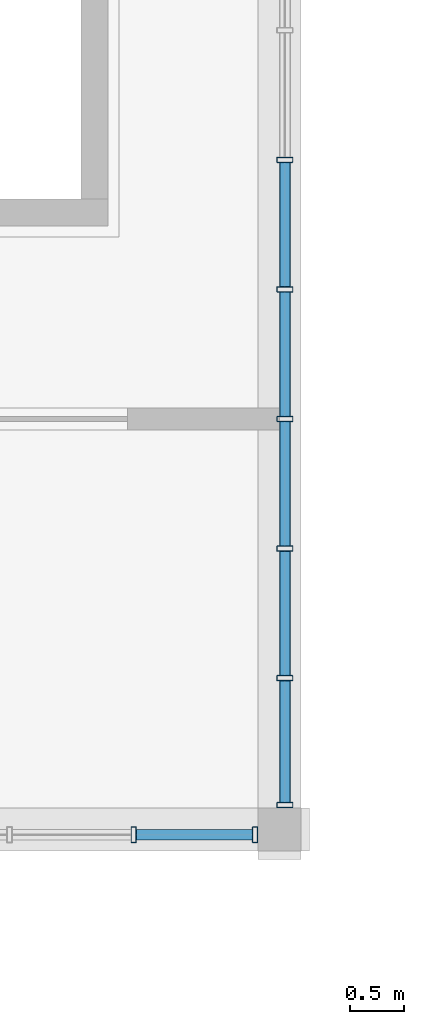
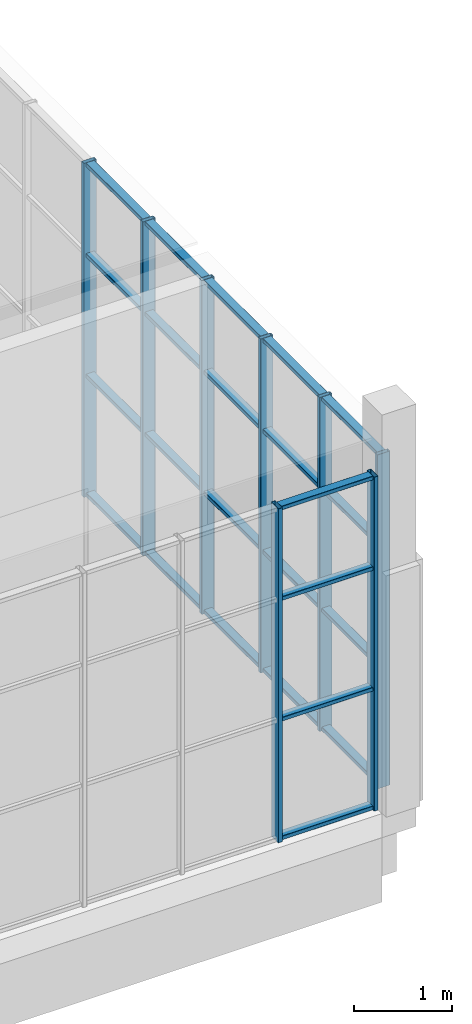
# One storey, part 36 of 125: 32 members, 2 elements without a shape of their own.
"""IFC4 building model written with IfcOpenShell, lengths in metres."""

from ifc_helpers import new_model, si_unit, direction, frame, origin, origin_2d, place, context, subcontext, project, spatial, hollow_rectangle, extrude, material, material_profile, profile_set, type_object, element, aggregate, save


model = new_model("IFC4")

# Units and contexts
model_context = context("Model", 3, precision=1e-05, world=origin(), true_north=direction((0.0, 1.0)))
body_context = subcontext(model_context, "Body", "Model", "MODEL_VIEW")
ifc_project = project(units=[si_unit("LENGTHUNIT", "METRE"), si_unit("AREAUNIT", "SQUARE_METRE"), si_unit("VOLUMEUNIT", "CUBIC_METRE"), si_unit("PLANEANGLEUNIT", "RADIAN"), si_unit("MASSUNIT", "GRAM", prefix="KILO")], contexts=[model_context])

# Site, building, storey
site_placement = place(None, origin())
site = spatial("IfcSite", under=ifc_project, at=site_placement, CompositionType="ELEMENT")
building_placement = place(site_placement, origin())
building = spatial("IfcBuilding", under=site, at=building_placement, Name="Sun Court Science Centre", CompositionType="ELEMENT")
storey_placement = place(building_placement, frame((0.0, 0.0, 6.0)))
storey = spatial("IfcBuildingStorey", under=building, at=storey_placement, Name="L01", CompositionType="ELEMENT", Elevation=6.0)

# Curtain wall, members
ifc_material_1 = material(Name="Aluminium EN AW-6063 T6", Category="aluminium")
curtain_wall_type = type_object("IfcCurtainWallType", Name="Pavilion curtain wall 1200", PredefinedType="NOTDEFINED", material=ifc_material_1)
curtain_wall_1_placement = place(storey_placement, origin())
curtain_wall_1 = element("IfcCurtainWall", 1, at=curtain_wall_1_placement, inside=storey, type_object=curtain_wall_type, Name="Curtain wall V5 S L01 01", PredefinedType="NOTDEFINED")
ifc_material_2 = material(Name="Aluminium EN AW-6063 T6", Category="aluminium")
ifc_material_profile_1 = material_profile(ifc_material_2, hollow_rectangle(XDim=0.050048828125, YDim=0.14990234375, WallThickness=0.00390625, InnerFilletRadius=0.00390625, OuterFilletRadius=0.006103515625, at=origin_2d()), Name="AL 50x150x4")
ifc_profile_set_1 = profile_set([ifc_material_profile_1], Name="Aluminium EN AW-6063 T6")
member_type_1 = type_object("IfcMemberType", Name="Curtain wall mullion AL 50x150", PredefinedType="MULLION", material=ifc_profile_set_1)
member_1_placement = place(storey_placement, frame((64.449951171875, 36.14990234375, 0.0), z_axis=(0.0, 0.0, 1.0), x_axis=(-1.0, 0.0, 0.0)))
member_1 = element("IfcMember", 2, at=member_1_placement, type_object=member_type_1, Name="CW3-05 mullion 2", PredefinedType="MULLION", context=body_context, shape_type="SweptSolid", body=[
    extrude(hollow_rectangle(XDim=0.050048828125, YDim=0.14990234375, WallThickness=0.00390625, InnerFilletRadius=0.00390625, OuterFilletRadius=0.006103515625, at=origin_2d()), origin(), (0.0, 0.0, 1.0), 4.14990234375),
])
member_2_placement = place(storey_placement, frame((65.574951171875, 36.14990234375, 0.0), z_axis=(0.0, 0.0, 1.0), x_axis=(-1.0, 0.0, 0.0)))
member_2 = element("IfcMember", 3, at=member_2_placement, type_object=member_type_1, Name="CW3-05 mullion 1", PredefinedType="MULLION", context=body_context, shape_type="SweptSolid", body=[
    extrude(hollow_rectangle(XDim=0.050048828125, YDim=0.14990234375, WallThickness=0.00390625, InnerFilletRadius=0.00390625, OuterFilletRadius=0.006103515625, at=origin_2d()), origin(), (0.0, 0.0, 1.0), 4.14990234375),
])

curtain_wall_2_placement = place(storey_placement, origin())
curtain_wall_2 = element("IfcCurtainWall", 4, at=curtain_wall_2_placement, inside=storey, type_object=curtain_wall_type, Name="Curtain wall V5 E L01 01", PredefinedType="NOTDEFINED")
member_3_placement = place(storey_placement, frame((65.85009765625, 36.425048828125, 0.0), z_axis=(0.0, 0.0, 1.0), x_axis=(0.0, -1.0, 0.0)))
member_3 = element("IfcMember", 5, at=member_3_placement, type_object=member_type_1, Name="CW3-21 mullion 12", PredefinedType="MULLION", context=body_context, shape_type="SweptSolid", body=[
    extrude(hollow_rectangle(XDim=0.050048828125, YDim=0.14990234375, WallThickness=0.00390625, InnerFilletRadius=0.00390625, OuterFilletRadius=0.006103515625, at=origin_2d()), origin(), (0.0, 0.0, 1.0), 4.14990234375),
])
member_4_placement = place(storey_placement, frame((65.85009765625, 37.60009765625, 0.0), z_axis=(0.0, 0.0, 1.0), x_axis=(0.0, -1.0, 0.0)))
member_4 = element("IfcMember", 6, at=member_4_placement, type_object=member_type_1, Name="CW3-21 mullion 11", PredefinedType="MULLION", context=body_context, shape_type="SweptSolid", body=[
    extrude(hollow_rectangle(XDim=0.050048828125, YDim=0.14990234375, WallThickness=0.00390625, InnerFilletRadius=0.00390625, OuterFilletRadius=0.006103515625, at=origin_2d()), origin(), (0.0, 0.0, 1.0), 4.14990234375),
])
member_5_placement = place(storey_placement, frame((65.85009765625, 38.800048828125, 0.0), z_axis=(0.0, 0.0, 1.0), x_axis=(0.0, -1.0, 0.0)))
member_5 = element("IfcMember", 7, at=member_5_placement, type_object=member_type_1, Name="CW3-21 mullion 10", PredefinedType="MULLION", context=body_context, shape_type="SweptSolid", body=[
    extrude(hollow_rectangle(XDim=0.050048828125, YDim=0.14990234375, WallThickness=0.00390625, InnerFilletRadius=0.00390625, OuterFilletRadius=0.006103515625, at=origin_2d()), origin(), (0.0, 0.0, 1.0), 4.14990234375),
])
member_6_placement = place(storey_placement, frame((65.85009765625, 40.0, 0.0), z_axis=(0.0, 0.0, 1.0), x_axis=(0.0, -1.0, 0.0)))
member_6 = element("IfcMember", 8, at=member_6_placement, type_object=member_type_1, Name="CW3-21 mullion 9", PredefinedType="MULLION", context=body_context, shape_type="SweptSolid", body=[
    extrude(hollow_rectangle(XDim=0.050048828125, YDim=0.14990234375, WallThickness=0.00390625, InnerFilletRadius=0.00390625, OuterFilletRadius=0.006103515625, at=origin_2d()), origin(), (0.0, 0.0, 1.0), 4.14990234375),
])
member_7_placement = place(storey_placement, frame((65.85009765625, 41.199951171875, 0.0), z_axis=(0.0, 0.0, 1.0), x_axis=(0.0, -1.0, 0.0)))
member_7 = element("IfcMember", 9, at=member_7_placement, type_object=member_type_1, Name="CW3-21 mullion 8", PredefinedType="MULLION", context=body_context, shape_type="SweptSolid", body=[
    extrude(hollow_rectangle(XDim=0.050048828125, YDim=0.14990234375, WallThickness=0.00390625, InnerFilletRadius=0.00390625, OuterFilletRadius=0.006103515625, at=origin_2d()), origin(), (0.0, 0.0, 1.0), 4.14990234375),
])
member_8_placement = place(storey_placement, frame((65.85009765625, 42.39990234375, 0.0), z_axis=(0.0, 0.0, 1.0), x_axis=(0.0, -1.0, 0.0)))
member_8 = element("IfcMember", 10, at=member_8_placement, type_object=member_type_1, Name="CW3-21 mullion 7", PredefinedType="MULLION", context=body_context, shape_type="SweptSolid", body=[
    extrude(hollow_rectangle(XDim=0.050048828125, YDim=0.14990234375, WallThickness=0.00390625, InnerFilletRadius=0.00390625, OuterFilletRadius=0.006103515625, at=origin_2d()), origin(), (0.0, 0.0, 1.0), 4.14990234375),
])

# Member
ifc_material_3 = material(Name="Aluminium EN AW-6063 T6", Category="aluminium")
ifc_material_profile_2 = material_profile(ifc_material_3, hollow_rectangle(XDim=0.050048828125, YDim=0.10009765625, WallThickness=0.00390625, InnerFilletRadius=0.00390625, OuterFilletRadius=0.006103515625, at=origin_2d()), Name="AL 50x100x4")
ifc_profile_set_2 = profile_set([ifc_material_profile_2], Name="Aluminium EN AW-6063 T6")
member_type_2 = type_object("IfcMemberType", Name="Curtain wall transom AL 50x100", PredefinedType="USERDEFINED", material=ifc_profile_set_2)
member_9_placement = place(storey_placement, frame((65.550048828125, 36.14990234375, 0.02490234375), z_axis=(-1.0, 0.0, 0.0), x_axis=(0.0, 0.0, 1.0)))
member_9 = element("IfcMember", 11, at=member_9_placement, type_object=member_type_2, Name="CW3-05 transom 1.1", ObjectType="TRANSOM", PredefinedType="USERDEFINED", context=body_context, shape_type="SweptSolid", body=[
    extrude(hollow_rectangle(XDim=0.050048828125, YDim=0.10009765625, WallThickness=0.00390625, InnerFilletRadius=0.00390625, OuterFilletRadius=0.006103515625, at=origin_2d()), origin(), (0.0, 0.0, 1.0), 1.074951171875),
])

member_10_placement = place(storey_placement, frame((65.550048828125, 36.14990234375, 1.5), z_axis=(-1.0, 0.0, 0.0), x_axis=(0.0, 0.0, 1.0)))
member_10 = element("IfcMember", 12, at=member_10_placement, type_object=member_type_2, Name="CW3-05 transom 1.2", ObjectType="TRANSOM", PredefinedType="USERDEFINED", context=body_context, shape_type="SweptSolid", body=[
    extrude(hollow_rectangle(XDim=0.050048828125, YDim=0.10009765625, WallThickness=0.00390625, InnerFilletRadius=0.00390625, OuterFilletRadius=0.006103515625, at=origin_2d()), origin(), (0.0, 0.0, 1.0), 1.074951171875),
])

member_11_placement = place(storey_placement, frame((65.550048828125, 36.14990234375, 3.0), z_axis=(-1.0, 0.0, 0.0), x_axis=(0.0, 0.0, 1.0)))
member_11 = element("IfcMember", 13, at=member_11_placement, type_object=member_type_2, Name="CW3-05 transom 1.3", ObjectType="TRANSOM", PredefinedType="USERDEFINED", context=body_context, shape_type="SweptSolid", body=[
    extrude(hollow_rectangle(XDim=0.050048828125, YDim=0.10009765625, WallThickness=0.00390625, InnerFilletRadius=0.00390625, OuterFilletRadius=0.006103515625, at=origin_2d()), origin(), (0.0, 0.0, 1.0), 1.074951171875),
])

member_12_placement = place(storey_placement, frame((65.550048828125, 36.14990234375, 4.125), z_axis=(-1.0, 0.0, 0.0), x_axis=(0.0, 0.0, 1.0)))
member_12 = element("IfcMember", 14, at=member_12_placement, type_object=member_type_2, Name="CW3-05 transom 1.4", ObjectType="TRANSOM", PredefinedType="USERDEFINED", context=body_context, shape_type="SweptSolid", body=[
    extrude(hollow_rectangle(XDim=0.050048828125, YDim=0.10009765625, WallThickness=0.00390625, InnerFilletRadius=0.00390625, OuterFilletRadius=0.006103515625, at=origin_2d()), origin(), (0.0, 0.0, 1.0), 1.074951171875),
])

aggregate(curtain_wall_1, [member_1, member_2, member_9, member_10, member_11, member_12])

member_13_placement = place(storey_placement, frame((65.85009765625, 37.574951171875, 0.02490234375), z_axis=(0.0, -1.0, 0.0), x_axis=(0.0, 0.0, 1.0)))
member_13 = element("IfcMember", 15, at=member_13_placement, type_object=member_type_2, Name="CW3-21 transom 11.1", ObjectType="TRANSOM", PredefinedType="USERDEFINED", context=body_context, shape_type="SweptSolid", body=[
    extrude(hollow_rectangle(XDim=0.050048828125, YDim=0.10009765625, WallThickness=0.00390625, InnerFilletRadius=0.00390625, OuterFilletRadius=0.006103515625, at=origin_2d()), origin(), (0.0, 0.0, 1.0), 1.125),
])

member_14_placement = place(storey_placement, frame((65.85009765625, 38.77490234375, 0.02490234375), z_axis=(0.0, -1.0, 0.0), x_axis=(0.0, 0.0, 1.0)))
member_14 = element("IfcMember", 16, at=member_14_placement, type_object=member_type_2, Name="CW3-21 transom 10.1", ObjectType="TRANSOM", PredefinedType="USERDEFINED", context=body_context, shape_type="SweptSolid", body=[
    extrude(hollow_rectangle(XDim=0.050048828125, YDim=0.10009765625, WallThickness=0.00390625, InnerFilletRadius=0.00390625, OuterFilletRadius=0.006103515625, at=origin_2d()), origin(), (0.0, 0.0, 1.0), 1.14990234375),
])

member_15_placement = place(storey_placement, frame((65.85009765625, 39.97509765625, 0.02490234375), z_axis=(0.0, -1.0, 0.0), x_axis=(0.0, 0.0, 1.0)))
member_15 = element("IfcMember", 17, at=member_15_placement, type_object=member_type_2, Name="CW3-21 transom 9.1", ObjectType="TRANSOM", PredefinedType="USERDEFINED", context=body_context, shape_type="SweptSolid", body=[
    extrude(hollow_rectangle(XDim=0.050048828125, YDim=0.10009765625, WallThickness=0.00390625, InnerFilletRadius=0.00390625, OuterFilletRadius=0.006103515625, at=origin_2d()), origin(), (0.0, 0.0, 1.0), 1.150146484375),
])

member_16_placement = place(storey_placement, frame((65.85009765625, 41.175048828125, 0.02490234375), z_axis=(0.0, -1.0, 0.0), x_axis=(0.0, 0.0, 1.0)))
member_16 = element("IfcMember", 18, at=member_16_placement, type_object=member_type_2, Name="CW3-21 transom 8.1", ObjectType="TRANSOM", PredefinedType="USERDEFINED", context=body_context, shape_type="SweptSolid", body=[
    extrude(hollow_rectangle(XDim=0.050048828125, YDim=0.10009765625, WallThickness=0.00390625, InnerFilletRadius=0.00390625, OuterFilletRadius=0.006103515625, at=origin_2d()), origin(), (0.0, 0.0, 1.0), 1.150146484375),
])

member_17_placement = place(storey_placement, frame((65.85009765625, 42.375, 0.02490234375), z_axis=(0.0, -1.0, 0.0), x_axis=(0.0, 0.0, 1.0)))
member_17 = element("IfcMember", 19, at=member_17_placement, type_object=member_type_2, Name="CW3-21 transom 7.1", ObjectType="TRANSOM", PredefinedType="USERDEFINED", context=body_context, shape_type="SweptSolid", body=[
    extrude(hollow_rectangle(XDim=0.050048828125, YDim=0.10009765625, WallThickness=0.00390625, InnerFilletRadius=0.00390625, OuterFilletRadius=0.006103515625, at=origin_2d()), origin(), (0.0, 0.0, 1.0), 1.14990234375),
])

member_18_placement = place(storey_placement, frame((65.85009765625, 37.574951171875, 1.5), z_axis=(0.0, -1.0, 0.0), x_axis=(0.0, 0.0, 1.0)))
member_18 = element("IfcMember", 20, at=member_18_placement, type_object=member_type_2, Name="CW3-21 transom 11.2", ObjectType="TRANSOM", PredefinedType="USERDEFINED", context=body_context, shape_type="SweptSolid", body=[
    extrude(hollow_rectangle(XDim=0.050048828125, YDim=0.10009765625, WallThickness=0.00390625, InnerFilletRadius=0.00390625, OuterFilletRadius=0.006103515625, at=origin_2d()), origin(), (0.0, 0.0, 1.0), 1.125),
])

member_19_placement = place(storey_placement, frame((65.85009765625, 38.77490234375, 1.5), z_axis=(0.0, -1.0, 0.0), x_axis=(0.0, 0.0, 1.0)))
member_19 = element("IfcMember", 21, at=member_19_placement, type_object=member_type_2, Name="CW3-21 transom 10.2", ObjectType="TRANSOM", PredefinedType="USERDEFINED", context=body_context, shape_type="SweptSolid", body=[
    extrude(hollow_rectangle(XDim=0.050048828125, YDim=0.10009765625, WallThickness=0.00390625, InnerFilletRadius=0.00390625, OuterFilletRadius=0.006103515625, at=origin_2d()), origin(), (0.0, 0.0, 1.0), 1.14990234375),
])

member_20_placement = place(storey_placement, frame((65.85009765625, 39.97509765625, 1.5), z_axis=(0.0, -1.0, 0.0), x_axis=(0.0, 0.0, 1.0)))
member_20 = element("IfcMember", 22, at=member_20_placement, type_object=member_type_2, Name="CW3-21 transom 9.2", ObjectType="TRANSOM", PredefinedType="USERDEFINED", context=body_context, shape_type="SweptSolid", body=[
    extrude(hollow_rectangle(XDim=0.050048828125, YDim=0.10009765625, WallThickness=0.00390625, InnerFilletRadius=0.00390625, OuterFilletRadius=0.006103515625, at=origin_2d()), origin(), (0.0, 0.0, 1.0), 1.150146484375),
])

member_21_placement = place(storey_placement, frame((65.85009765625, 41.175048828125, 1.5), z_axis=(0.0, -1.0, 0.0), x_axis=(0.0, 0.0, 1.0)))
member_21 = element("IfcMember", 23, at=member_21_placement, type_object=member_type_2, Name="CW3-21 transom 8.2", ObjectType="TRANSOM", PredefinedType="USERDEFINED", context=body_context, shape_type="SweptSolid", body=[
    extrude(hollow_rectangle(XDim=0.050048828125, YDim=0.10009765625, WallThickness=0.00390625, InnerFilletRadius=0.00390625, OuterFilletRadius=0.006103515625, at=origin_2d()), origin(), (0.0, 0.0, 1.0), 1.150146484375),
])

member_22_placement = place(storey_placement, frame((65.85009765625, 42.375, 1.5), z_axis=(0.0, -1.0, 0.0), x_axis=(0.0, 0.0, 1.0)))
member_22 = element("IfcMember", 24, at=member_22_placement, type_object=member_type_2, Name="CW3-21 transom 7.2", ObjectType="TRANSOM", PredefinedType="USERDEFINED", context=body_context, shape_type="SweptSolid", body=[
    extrude(hollow_rectangle(XDim=0.050048828125, YDim=0.10009765625, WallThickness=0.00390625, InnerFilletRadius=0.00390625, OuterFilletRadius=0.006103515625, at=origin_2d()), origin(), (0.0, 0.0, 1.0), 1.14990234375),
])

member_23_placement = place(storey_placement, frame((65.85009765625, 37.574951171875, 3.0), z_axis=(0.0, -1.0, 0.0), x_axis=(0.0, 0.0, 1.0)))
member_23 = element("IfcMember", 25, at=member_23_placement, type_object=member_type_2, Name="CW3-21 transom 11.3", ObjectType="TRANSOM", PredefinedType="USERDEFINED", context=body_context, shape_type="SweptSolid", body=[
    extrude(hollow_rectangle(XDim=0.050048828125, YDim=0.10009765625, WallThickness=0.00390625, InnerFilletRadius=0.00390625, OuterFilletRadius=0.006103515625, at=origin_2d()), origin(), (0.0, 0.0, 1.0), 1.125),
])

member_24_placement = place(storey_placement, frame((65.85009765625, 38.77490234375, 3.0), z_axis=(0.0, -1.0, 0.0), x_axis=(0.0, 0.0, 1.0)))
member_24 = element("IfcMember", 26, at=member_24_placement, type_object=member_type_2, Name="CW3-21 transom 10.3", ObjectType="TRANSOM", PredefinedType="USERDEFINED", context=body_context, shape_type="SweptSolid", body=[
    extrude(hollow_rectangle(XDim=0.050048828125, YDim=0.10009765625, WallThickness=0.00390625, InnerFilletRadius=0.00390625, OuterFilletRadius=0.006103515625, at=origin_2d()), origin(), (0.0, 0.0, 1.0), 1.14990234375),
])

member_25_placement = place(storey_placement, frame((65.85009765625, 39.97509765625, 3.0), z_axis=(0.0, -1.0, 0.0), x_axis=(0.0, 0.0, 1.0)))
member_25 = element("IfcMember", 27, at=member_25_placement, type_object=member_type_2, Name="CW3-21 transom 9.3", ObjectType="TRANSOM", PredefinedType="USERDEFINED", context=body_context, shape_type="SweptSolid", body=[
    extrude(hollow_rectangle(XDim=0.050048828125, YDim=0.10009765625, WallThickness=0.00390625, InnerFilletRadius=0.00390625, OuterFilletRadius=0.006103515625, at=origin_2d()), origin(), (0.0, 0.0, 1.0), 1.150146484375),
])

member_26_placement = place(storey_placement, frame((65.85009765625, 41.175048828125, 3.0), z_axis=(0.0, -1.0, 0.0), x_axis=(0.0, 0.0, 1.0)))
member_26 = element("IfcMember", 28, at=member_26_placement, type_object=member_type_2, Name="CW3-21 transom 8.3", ObjectType="TRANSOM", PredefinedType="USERDEFINED", context=body_context, shape_type="SweptSolid", body=[
    extrude(hollow_rectangle(XDim=0.050048828125, YDim=0.10009765625, WallThickness=0.00390625, InnerFilletRadius=0.00390625, OuterFilletRadius=0.006103515625, at=origin_2d()), origin(), (0.0, 0.0, 1.0), 1.150146484375),
])

member_27_placement = place(storey_placement, frame((65.85009765625, 42.375, 3.0), z_axis=(0.0, -1.0, 0.0), x_axis=(0.0, 0.0, 1.0)))
member_27 = element("IfcMember", 29, at=member_27_placement, type_object=member_type_2, Name="CW3-21 transom 7.3", ObjectType="TRANSOM", PredefinedType="USERDEFINED", context=body_context, shape_type="SweptSolid", body=[
    extrude(hollow_rectangle(XDim=0.050048828125, YDim=0.10009765625, WallThickness=0.00390625, InnerFilletRadius=0.00390625, OuterFilletRadius=0.006103515625, at=origin_2d()), origin(), (0.0, 0.0, 1.0), 1.14990234375),
])

member_28_placement = place(storey_placement, frame((65.85009765625, 37.574951171875, 4.125), z_axis=(0.0, -1.0, 0.0), x_axis=(0.0, 0.0, 1.0)))
member_28 = element("IfcMember", 30, at=member_28_placement, type_object=member_type_2, Name="CW3-21 transom 11.4", ObjectType="TRANSOM", PredefinedType="USERDEFINED", context=body_context, shape_type="SweptSolid", body=[
    extrude(hollow_rectangle(XDim=0.050048828125, YDim=0.10009765625, WallThickness=0.00390625, InnerFilletRadius=0.00390625, OuterFilletRadius=0.006103515625, at=origin_2d()), origin(), (0.0, 0.0, 1.0), 1.125),
])

member_29_placement = place(storey_placement, frame((65.85009765625, 38.77490234375, 4.125), z_axis=(0.0, -1.0, 0.0), x_axis=(0.0, 0.0, 1.0)))
member_29 = element("IfcMember", 31, at=member_29_placement, type_object=member_type_2, Name="CW3-21 transom 10.4", ObjectType="TRANSOM", PredefinedType="USERDEFINED", context=body_context, shape_type="SweptSolid", body=[
    extrude(hollow_rectangle(XDim=0.050048828125, YDim=0.10009765625, WallThickness=0.00390625, InnerFilletRadius=0.00390625, OuterFilletRadius=0.006103515625, at=origin_2d()), origin(), (0.0, 0.0, 1.0), 1.14990234375),
])

member_30_placement = place(storey_placement, frame((65.85009765625, 39.97509765625, 4.125), z_axis=(0.0, -1.0, 0.0), x_axis=(0.0, 0.0, 1.0)))
member_30 = element("IfcMember", 32, at=member_30_placement, type_object=member_type_2, Name="CW3-21 transom 9.4", ObjectType="TRANSOM", PredefinedType="USERDEFINED", context=body_context, shape_type="SweptSolid", body=[
    extrude(hollow_rectangle(XDim=0.050048828125, YDim=0.10009765625, WallThickness=0.00390625, InnerFilletRadius=0.00390625, OuterFilletRadius=0.006103515625, at=origin_2d()), origin(), (0.0, 0.0, 1.0), 1.150146484375),
])

member_31_placement = place(storey_placement, frame((65.85009765625, 41.175048828125, 4.125), z_axis=(0.0, -1.0, 0.0), x_axis=(0.0, 0.0, 1.0)))
member_31 = element("IfcMember", 33, at=member_31_placement, type_object=member_type_2, Name="CW3-21 transom 8.4", ObjectType="TRANSOM", PredefinedType="USERDEFINED", context=body_context, shape_type="SweptSolid", body=[
    extrude(hollow_rectangle(XDim=0.050048828125, YDim=0.10009765625, WallThickness=0.00390625, InnerFilletRadius=0.00390625, OuterFilletRadius=0.006103515625, at=origin_2d()), origin(), (0.0, 0.0, 1.0), 1.150146484375),
])

member_32_placement = place(storey_placement, frame((65.85009765625, 42.375, 4.125), z_axis=(0.0, -1.0, 0.0), x_axis=(0.0, 0.0, 1.0)))
member_32 = element("IfcMember", 34, at=member_32_placement, type_object=member_type_2, Name="CW3-21 transom 7.4", ObjectType="TRANSOM", PredefinedType="USERDEFINED", context=body_context, shape_type="SweptSolid", body=[
    extrude(hollow_rectangle(XDim=0.050048828125, YDim=0.10009765625, WallThickness=0.00390625, InnerFilletRadius=0.00390625, OuterFilletRadius=0.006103515625, at=origin_2d()), origin(), (0.0, 0.0, 1.0), 1.14990234375),
])

aggregate(curtain_wall_2, [member_3, member_4, member_5, member_6, member_7, member_8, member_13, member_14, member_15, member_16, member_17, member_18, member_19, member_20, member_21, member_22, member_23, member_24, member_25, member_26, member_27, member_28, member_29, member_30, member_31, member_32])

save(model, "model.ifc")
